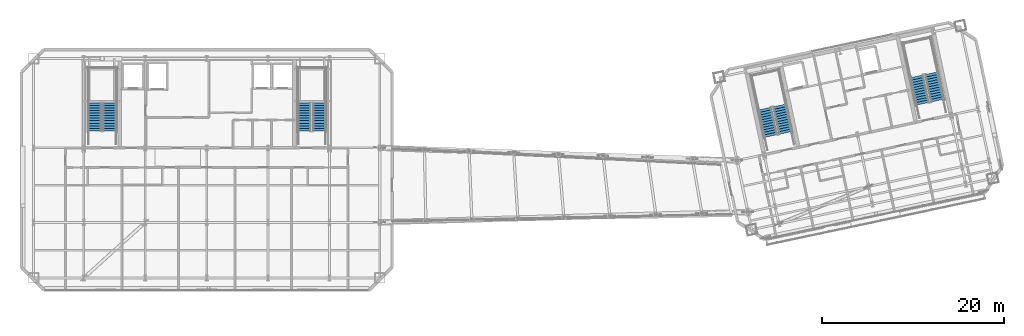
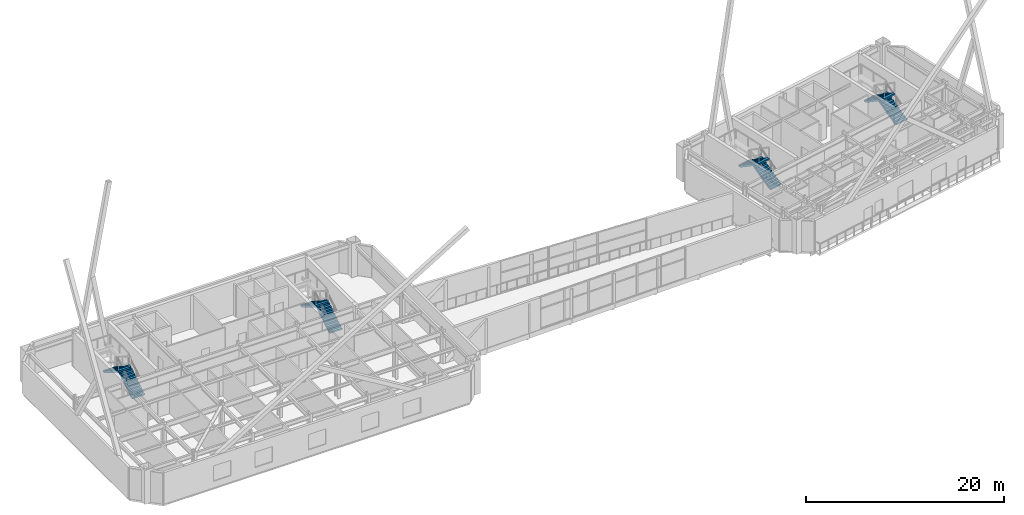
# One storey, part 19 of 23: 8 stair flights, 4 elements without a shape of their own.
"""IFC4 building model written with IfcOpenShell, lengths in metres."""

from ifc_helpers import new_model, si_unit, direction, frame, origin, place, context, subcontext, project, spatial, polyline, outline, extrude, material, type_object, element, aggregate, save


model = new_model("IFC4")

# Units and contexts
model_context = context("Model", 3, precision=1e-05, world=origin(), true_north=direction((0.0, 1.0)))
body_context = subcontext(model_context, "Body", "Model", "MODEL_VIEW")
ifc_project = project(units=[si_unit("LENGTHUNIT", "METRE"), si_unit("AREAUNIT", "SQUARE_METRE"), si_unit("VOLUMEUNIT", "CUBIC_METRE"), si_unit("PLANEANGLEUNIT", "RADIAN"), si_unit("MASSUNIT", "GRAM", prefix="KILO")], contexts=[model_context])

# Site, building, storey
site_placement = place(None, origin())
site = spatial("IfcSite", under=ifc_project, at=site_placement, CompositionType="ELEMENT")
building_placement = place(site_placement, origin())
building = spatial("IfcBuilding", under=site, at=building_placement, Name="Haevon Station Towers", CompositionType="ELEMENT")
storey_placement = place(building_placement, frame((0.0, 0.0, 197.10009765625)))
storey = spatial("IfcBuildingStorey", under=building, at=storey_placement, Name="L54", CompositionType="ELEMENT", Elevation=197.10009765625)

# Stair, stair flights
ifc_material = material(Name="Concrete C40/50", Category="concrete")
stair_type = type_object("IfcStairType", Name="STR-DL1450", PredefinedType="USERDEFINED", material=ifc_material)
stair_1_placement = place(storey_placement, origin())
stair_1 = element("IfcStair", 1, at=stair_1_placement, inside=storey, type_object=stair_type, Name="L54 Escape Stair ST1", ObjectType="TWO_RETURN_STAIR", PredefinedType="USERDEFINED")
stair_flight_type = type_object("IfcStairFlightType", Name="STF-ST1450", PredefinedType="STRAIGHT", material=ifc_material)
stair_flight_1_placement = place(storey_placement, frame((26.85498046875, 40.050048828125, 0.0), z_axis=(0.0, 0.0, 1.0), x_axis=(0.0, 1.0, 0.0)))
stair_flight_1 = element("IfcStairFlight", 2, at=stair_flight_1_placement, type_object=stair_flight_type, Name="L54 ST1 Flight 1", NumberOfRisers=12, NumberOfTreads=11, PredefinedType="STRAIGHT", RiserHeight=0.175, TreadLength=0.28, context=body_context, shape_type="SweptSolid", body=[
    extrude(outline(polyline([(0.0, 0.0), (0.0, 0.175048828125), (0.280029296875, 0.175048828125), (0.280029296875, 0.35009765625), (0.56005859375, 0.35009765625), (0.56005859375, 0.52490234375), (0.840087890625, 0.52490234375), (0.840087890625, 0.699951171875), (1.1201171875, 0.699951171875), (1.1201171875, 0.875), (1.39990234375, 0.875), (1.39990234375, 1.050048828125), (1.679931640625, 1.050048828125), (1.679931640625, 1.22509765625), (1.9599609375, 1.22509765625), (1.9599609375, 1.39990234375), (2.239990234375, 1.39990234375), (2.239990234375, 1.574951171875), (2.52001953125, 1.574951171875), (2.52001953125, 1.75), (2.800048828125, 1.75), (2.800048828125, 1.925048828125), (3.080078125, 1.925048828125), (3.080078125, 2.10009765625), (3.080078125, 1.736328125), (0.3017578125, 0.0), (0.0, 0.0)])), frame((0.0, 0.72509765625, 0.0), z_axis=(0.0, -1.0, 0.0), x_axis=(1.0, 0.0, 0.0)), (0.0, 0.0, 1.0), 1.449951171875),
])
stair_flight_2_placement = place(storey_placement, frame((25.205078125, 43.1298828125, 2.099853515625), z_axis=(0.0, 0.0, 1.0), x_axis=(0.0, -1.0, 0.0)))
stair_flight_2 = element("IfcStairFlight", 3, at=stair_flight_2_placement, type_object=stair_flight_type, Name="L54 ST1 Flight 2", NumberOfRisers=12, NumberOfTreads=11, PredefinedType="STRAIGHT", RiserHeight=0.175, TreadLength=0.28, context=body_context, shape_type="SweptSolid", body=[
    extrude(outline(polyline([(0.0, 0.0), (0.0, 0.175048828125), (0.280029296875, 0.175048828125), (0.280029296875, 0.35009765625), (0.56005859375, 0.35009765625), (0.56005859375, 0.52490234375), (0.840087890625, 0.52490234375), (0.840087890625, 0.699951171875), (1.1201171875, 0.699951171875), (1.1201171875, 0.875), (1.39990234375, 0.875), (1.39990234375, 1.050048828125), (1.679931640625, 1.050048828125), (1.679931640625, 1.22509765625), (1.9599609375, 1.22509765625), (1.9599609375, 1.39990234375), (2.239990234375, 1.39990234375), (2.239990234375, 1.574951171875), (2.52001953125, 1.574951171875), (2.52001953125, 1.75), (2.800048828125, 1.75), (2.800048828125, 1.925048828125), (3.080078125, 1.925048828125), (3.080078125, 2.10009765625), (3.080078125, 1.736328125), (0.3017578125, 0.0), (0.0, 0.0)])), frame((0.0, 0.72509765625, 0.0), z_axis=(0.0, -1.0, 0.0), x_axis=(1.0, 0.0, 0.0)), (0.0, 0.0, 1.0), 1.449951171875),
])
aggregate(stair_1, [stair_flight_1, stair_flight_2])

stair_2_placement = place(storey_placement, origin())
stair_2 = element("IfcStair", 4, at=stair_2_placement, inside=storey, type_object=stair_type, Name="L54 Escape Stair ST2", ObjectType="TWO_RETURN_STAIR", PredefinedType="USERDEFINED")
stair_flight_3_placement = place(storey_placement, frame((49.89501953125, 40.050048828125, 0.0), z_axis=(0.0, 0.0, 1.0), x_axis=(0.0, 1.0, 0.0)))
stair_flight_3 = element("IfcStairFlight", 5, at=stair_flight_3_placement, type_object=stair_flight_type, Name="L54 ST2 Flight 1", NumberOfRisers=12, NumberOfTreads=11, PredefinedType="STRAIGHT", RiserHeight=0.175, TreadLength=0.28, context=body_context, shape_type="SweptSolid", body=[
    extrude(outline(polyline([(0.0, 0.0), (0.0, 0.175048828125), (0.280029296875, 0.175048828125), (0.280029296875, 0.35009765625), (0.56005859375, 0.35009765625), (0.56005859375, 0.52490234375), (0.840087890625, 0.52490234375), (0.840087890625, 0.699951171875), (1.1201171875, 0.699951171875), (1.1201171875, 0.875), (1.39990234375, 0.875), (1.39990234375, 1.050048828125), (1.679931640625, 1.050048828125), (1.679931640625, 1.22509765625), (1.9599609375, 1.22509765625), (1.9599609375, 1.39990234375), (2.239990234375, 1.39990234375), (2.239990234375, 1.574951171875), (2.52001953125, 1.574951171875), (2.52001953125, 1.75), (2.800048828125, 1.75), (2.800048828125, 1.925048828125), (3.080078125, 1.925048828125), (3.080078125, 2.10009765625), (3.080078125, 1.736328125), (0.3017578125, 0.0), (0.0, 0.0)])), frame((0.0, 0.72509765625, 0.0), z_axis=(0.0, -1.0, 0.0), x_axis=(1.0, 0.0, 0.0)), (0.0, 0.0, 1.0), 1.449951171875),
])
stair_flight_4_placement = place(storey_placement, frame((48.2451171875, 43.1298828125, 2.099853515625), z_axis=(0.0, 0.0, 1.0), x_axis=(0.0, -1.0, 0.0)))
stair_flight_4 = element("IfcStairFlight", 6, at=stair_flight_4_placement, type_object=stair_flight_type, Name="L54 ST2 Flight 2", NumberOfRisers=12, NumberOfTreads=11, PredefinedType="STRAIGHT", RiserHeight=0.175, TreadLength=0.28, context=body_context, shape_type="SweptSolid", body=[
    extrude(outline(polyline([(0.0, 0.0), (0.0, 0.175048828125), (0.280029296875, 0.175048828125), (0.280029296875, 0.35009765625), (0.56005859375, 0.35009765625), (0.56005859375, 0.52490234375), (0.840087890625, 0.52490234375), (0.840087890625, 0.699951171875), (1.1201171875, 0.699951171875), (1.1201171875, 0.875), (1.39990234375, 0.875), (1.39990234375, 1.050048828125), (1.679931640625, 1.050048828125), (1.679931640625, 1.22509765625), (1.9599609375, 1.22509765625), (1.9599609375, 1.39990234375), (2.239990234375, 1.39990234375), (2.239990234375, 1.574951171875), (2.52001953125, 1.574951171875), (2.52001953125, 1.75), (2.800048828125, 1.75), (2.800048828125, 1.925048828125), (3.080078125, 1.925048828125), (3.080078125, 2.10009765625), (3.080078125, 1.736328125), (0.3017578125, 0.0), (0.0, 0.0)])), frame((0.0, 0.72509765625, 0.0), z_axis=(0.0, -1.0, 0.0), x_axis=(1.0, 0.0, 0.0)), (0.0, 0.0, 1.0), 1.449951171875),
])
aggregate(stair_2, [stair_flight_3, stair_flight_4])

stair_3_placement = place(storey_placement, origin())
stair_3 = element("IfcStair", 7, at=stair_3_placement, inside=storey, type_object=stair_type, Name="L54 Escape Stair ST3", ObjectType="TWO_RETURN_STAIR", PredefinedType="USERDEFINED")
stair_flight_5_placement = place(storey_placement, frame((101.1015625, 39.8330078125, 0.0), z_axis=(0.0, 0.0, 1.0), x_axis=(-0.207911690818, 0.978147600734, 0.0)))
stair_flight_5 = element("IfcStairFlight", 8, at=stair_flight_5_placement, type_object=stair_flight_type, Name="L54 ST3 Flight 1", NumberOfRisers=12, NumberOfTreads=11, PredefinedType="STRAIGHT", RiserHeight=0.175, TreadLength=0.28, context=body_context, shape_type="SweptSolid", body=[
    extrude(outline(polyline([(0.0, 0.0), (0.0, 0.175048828125), (0.280029296875, 0.175048828125), (0.280029296875, 0.35009765625), (0.56005859375, 0.35009765625), (0.56005859375, 0.52490234375), (0.840087890625, 0.52490234375), (0.840087890625, 0.699951171875), (1.1201171875, 0.699951171875), (1.1201171875, 0.875), (1.39990234375, 0.875), (1.39990234375, 1.050048828125), (1.679931640625, 1.050048828125), (1.679931640625, 1.22509765625), (1.9599609375, 1.22509765625), (1.9599609375, 1.39990234375), (2.239990234375, 1.39990234375), (2.239990234375, 1.574951171875), (2.52001953125, 1.574951171875), (2.52001953125, 1.75), (2.800048828125, 1.75), (2.800048828125, 1.925048828125), (3.080078125, 1.925048828125), (3.080078125, 2.10009765625), (3.080078125, 1.736328125), (0.3017578125, 0.0), (0.0, 0.0)])), frame((0.0, 0.72509765625, 0.0), z_axis=(0.0, -1.0, 0.0), x_axis=(1.0, 0.0, 0.0)), (0.0, 0.0, 1.0), 1.449951171875),
])
stair_flight_6_placement = place(storey_placement, frame((98.847412109375, 42.502685546875, 2.099853515625), z_axis=(0.0, 0.0, 1.0), x_axis=(0.207911690818, -0.978147600734, 0.0)))
stair_flight_6 = element("IfcStairFlight", 9, at=stair_flight_6_placement, type_object=stair_flight_type, Name="L54 ST3 Flight 2", NumberOfRisers=12, NumberOfTreads=11, PredefinedType="STRAIGHT", RiserHeight=0.175, TreadLength=0.28, context=body_context, shape_type="SweptSolid", body=[
    extrude(outline(polyline([(0.0, 0.0), (0.0, 0.175048828125), (0.280029296875, 0.175048828125), (0.280029296875, 0.35009765625), (0.56005859375, 0.35009765625), (0.56005859375, 0.52490234375), (0.840087890625, 0.52490234375), (0.840087890625, 0.699951171875), (1.1201171875, 0.699951171875), (1.1201171875, 0.875), (1.39990234375, 0.875), (1.39990234375, 1.050048828125), (1.679931640625, 1.050048828125), (1.679931640625, 1.22509765625), (1.9599609375, 1.22509765625), (1.9599609375, 1.39990234375), (2.239990234375, 1.39990234375), (2.239990234375, 1.574951171875), (2.52001953125, 1.574951171875), (2.52001953125, 1.75), (2.800048828125, 1.75), (2.800048828125, 1.925048828125), (3.080078125, 1.925048828125), (3.080078125, 2.10009765625), (3.080078125, 1.736328125), (0.3017578125, 0.0), (0.0, 0.0)])), frame((0.0, 0.72509765625, 0.0), z_axis=(0.0, -1.0, 0.0), x_axis=(1.0, 0.0, 0.0)), (0.0, 0.0, 1.0), 1.449951171875),
])
aggregate(stair_3, [stair_flight_5, stair_flight_6])

stair_4_placement = place(storey_placement, origin())
stair_4 = element("IfcStair", 10, at=stair_4_placement, inside=storey, type_object=stair_type, Name="L54 Escape Stair ST4", ObjectType="TWO_RETURN_STAIR", PredefinedType="USERDEFINED")
stair_flight_7_placement = place(storey_placement, frame((117.788818359375, 43.380126953125, 0.0), z_axis=(0.0, 0.0, 1.0), x_axis=(-0.207911690818, 0.978147600734, 0.0)))
stair_flight_7 = element("IfcStairFlight", 11, at=stair_flight_7_placement, type_object=stair_flight_type, Name="L54 ST4 Flight 1", NumberOfRisers=12, NumberOfTreads=11, PredefinedType="STRAIGHT", RiserHeight=0.175, TreadLength=0.28, context=body_context, shape_type="SweptSolid", body=[
    extrude(outline(polyline([(0.0, 0.0), (0.0, 0.175048828125), (0.280029296875, 0.175048828125), (0.280029296875, 0.35009765625), (0.56005859375, 0.35009765625), (0.56005859375, 0.52490234375), (0.840087890625, 0.52490234375), (0.840087890625, 0.699951171875), (1.1201171875, 0.699951171875), (1.1201171875, 0.875), (1.39990234375, 0.875), (1.39990234375, 1.050048828125), (1.679931640625, 1.050048828125), (1.679931640625, 1.22509765625), (1.9599609375, 1.22509765625), (1.9599609375, 1.39990234375), (2.239990234375, 1.39990234375), (2.239990234375, 1.574951171875), (2.52001953125, 1.574951171875), (2.52001953125, 1.75), (2.800048828125, 1.75), (2.800048828125, 1.925048828125), (3.080078125, 1.925048828125), (3.080078125, 2.10009765625), (3.080078125, 1.736328125), (0.3017578125, 0.0), (0.0, 0.0)])), frame((0.0, 0.72509765625, 0.0), z_axis=(0.0, -1.0, 0.0), x_axis=(1.0, 0.0, 0.0)), (0.0, 0.0, 1.0), 1.449951171875),
])
stair_flight_8_placement = place(storey_placement, frame((115.534423828125, 46.0498046875, 2.099853515625), z_axis=(0.0, 0.0, 1.0), x_axis=(0.207911690818, -0.978147600734, 0.0)))
stair_flight_8 = element("IfcStairFlight", 12, at=stair_flight_8_placement, type_object=stair_flight_type, Name="L54 ST4 Flight 2", NumberOfRisers=12, NumberOfTreads=11, PredefinedType="STRAIGHT", RiserHeight=0.175, TreadLength=0.28, context=body_context, shape_type="SweptSolid", body=[
    extrude(outline(polyline([(0.0, 0.0), (0.0, 0.175048828125), (0.280029296875, 0.175048828125), (0.280029296875, 0.35009765625), (0.56005859375, 0.35009765625), (0.56005859375, 0.52490234375), (0.840087890625, 0.52490234375), (0.840087890625, 0.699951171875), (1.1201171875, 0.699951171875), (1.1201171875, 0.875), (1.39990234375, 0.875), (1.39990234375, 1.050048828125), (1.679931640625, 1.050048828125), (1.679931640625, 1.22509765625), (1.9599609375, 1.22509765625), (1.9599609375, 1.39990234375), (2.239990234375, 1.39990234375), (2.239990234375, 1.574951171875), (2.52001953125, 1.574951171875), (2.52001953125, 1.75), (2.800048828125, 1.75), (2.800048828125, 1.925048828125), (3.080078125, 1.925048828125), (3.080078125, 2.10009765625), (3.080078125, 1.736328125), (0.3017578125, 0.0), (0.0, 0.0)])), frame((0.0, 0.72509765625, 0.0), z_axis=(0.0, -1.0, 0.0), x_axis=(1.0, 0.0, 0.0)), (0.0, 0.0, 1.0), 1.449951171875),
])
aggregate(stair_4, [stair_flight_7, stair_flight_8])

save(model, "model.ifc")
